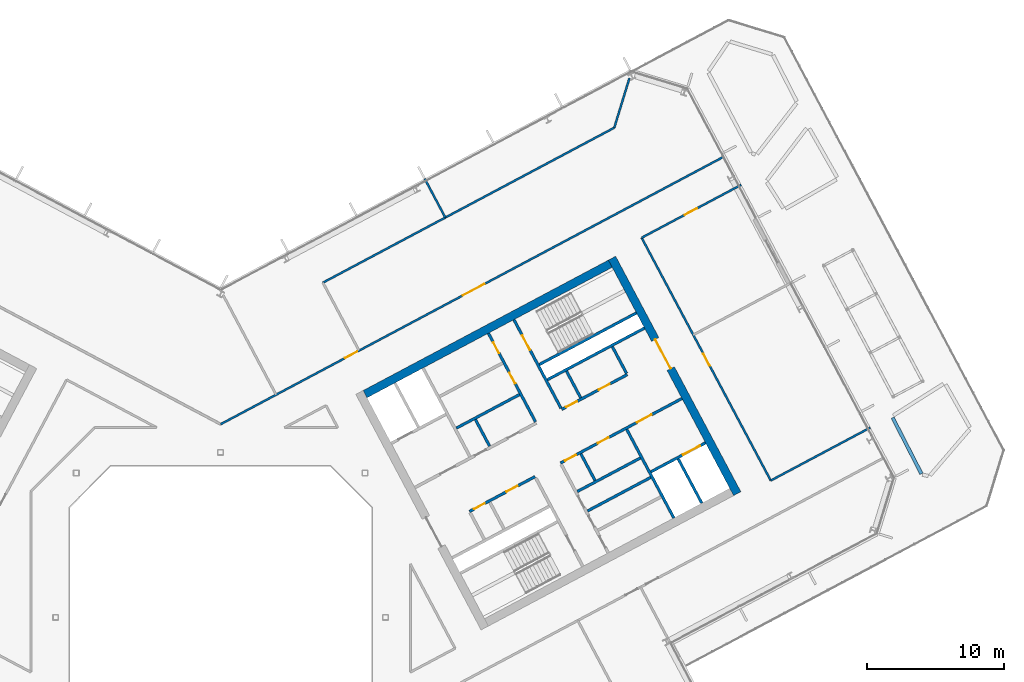
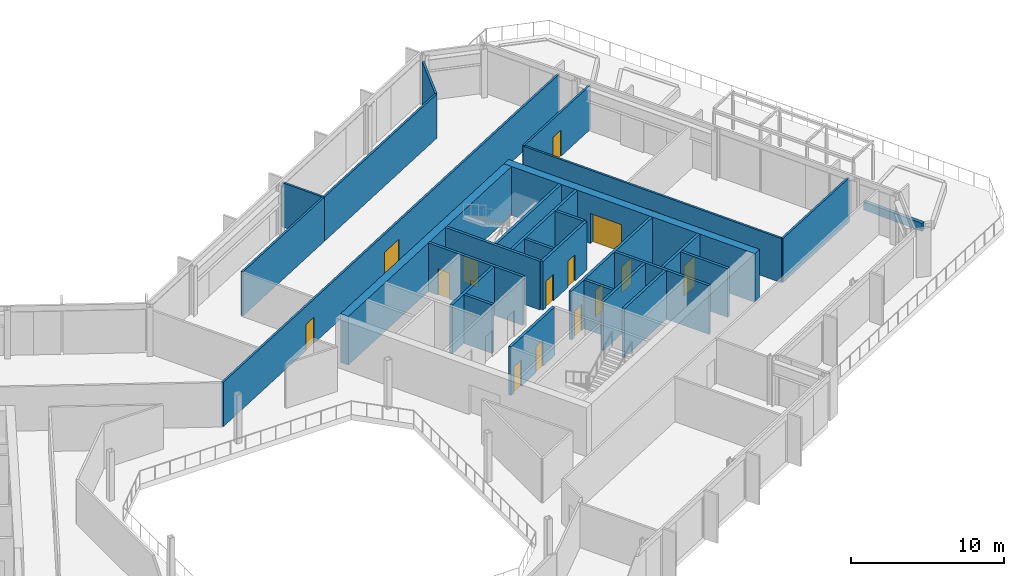
# One storey, part 19 of 31: 28 walls, 16 doors, 16 openings.
"""IFC4 building model written with IfcOpenShell, lengths in metres."""

from ifc_helpers import new_model, si_unit, direction, frame, frame_2d, origin, place, context, subcontext, project, spatial, rectangle, extrude, material, layer, layer_set, type_object, element, fill, save


model = new_model("IFC4")

# Units and contexts
model_context = context("Model", 3, precision=1e-05, world=origin(), true_north=direction((0.0, 1.0)))
body_context = subcontext(model_context, "Body", "Model", "MODEL_VIEW")
ifc_project = project(units=[si_unit("LENGTHUNIT", "METRE"), si_unit("AREAUNIT", "SQUARE_METRE"), si_unit("VOLUMEUNIT", "CUBIC_METRE"), si_unit("PLANEANGLEUNIT", "RADIAN"), si_unit("MASSUNIT", "GRAM", prefix="KILO")], contexts=[model_context])

# Site, building, storey
site_placement = place(None, origin())
site = spatial("IfcSite", under=ifc_project, at=site_placement, CompositionType="ELEMENT")
building_placement = place(site_placement, origin())
building = spatial("IfcBuilding", under=site, at=building_placement, Name="Cormorant Relay Tower", CompositionType="ELEMENT")
storey_placement = place(building_placement, frame((0.0, 0.0, 189.60009765625)))
storey = spatial("IfcBuildingStorey", under=building, at=storey_placement, Name="L40", CompositionType="ELEMENT", Elevation=189.60009765625)

# Walls
ifc_material_1 = material(Name="Concrete 40 MPa", Category="concrete")
ifc_layer_1 = layer(ifc_material_1, 0.199951171875)
ifc_layer_set_1 = layer_set([ifc_layer_1], Name="Core internal wall 200")
wall_type_1 = type_object("IfcWallType", Name="Core internal wall 200", PredefinedType="SOLIDWALL", material=ifc_layer_set_1)
for number, where, z_axis, x_axis, name in (
    (1, (19.568603515625, 12.443603515625, 0.0), (0.0, 0.0, 1.0), (-0.4694473164, 0.882960484464, 0.0), "L40 core B shaft and room wall"),
    (2, (27.236083984375, 9.951416015625, 0.0), (0.0, 0.0, 1.0), (-0.4694473164, 0.882960484464, 0.0), "L40 core B shaft and room wall"),
    (3, (26.19091796875, 15.964599609375, 0.0), (0.0, 0.0, 1.0), (-0.469533832133, 0.882914480843, 0.0), "L40 core B shaft and room wall"),
):
    element("IfcWall", number, at=place(storey_placement, frame(where, z_axis=z_axis, x_axis=x_axis)), inside=storey, type_object=wall_type_1, Name=name, PredefinedType="SOLIDWALL", context=body_context, shape_type="SweptSolid", body=[
        extrude(rectangle(XDim=2.199951171875, YDim=0.199951171875, at=frame_2d((1.10009765625, 0.0))), origin(), (0.0, 0.0, 1.0), 3.89990234375),
    ])
wall_1_placement = place(storey_placement, frame((26.692138671875, 7.73681640625, 0.0), z_axis=(0.0, 0.0, 1.0), x_axis=(0.882953967957, 0.469459572775, 0.0)))
element("IfcWall", 4, at=wall_1_placement, inside=storey, type_object=wall_type_1, Name="L40 core B shaft and room wall", PredefinedType="SOLIDWALL", context=body_context, shape_type="SweptSolid", body=[
    extrude(rectangle(XDim=5.199951171875, YDim=0.199951171875, at=frame_2d((2.60009765625, 0.0))), origin(), (0.0, 0.0, 1.0), 3.89990234375),
])

# Wall, openings, doors
ifc_material_2 = material(Name="Concrete 50 MPa", Category="concrete")
ifc_layer_2 = layer(ifc_material_2, 0.199951171875)
ifc_layer_set_2 = layer_set([ifc_layer_2], Name="Core shaft wall 200")
wall_type_2 = type_object("IfcWallType", Name="Core shaft wall 200", PredefinedType="SHEAR", material=ifc_layer_set_2)
wall_2_placement = place(storey_placement, frame((22.90625, 14.218017578125, 0.0), z_axis=(0.0, 0.0, 1.0), x_axis=(-0.469480409012, 0.88294288918, 0.0)))
wall_2 = element("IfcWall", 5, at=wall_2_placement, inside=storey, type_object=wall_type_2, Name="L40 core B shaft wall", PredefinedType="SHEAR", context=body_context, shape_type="SweptSolid", body=[
    extrude(rectangle(XDim=7.300048828125, YDim=0.199951171875, at=frame_2d((3.64990234375, 0.0))), origin(), (0.0, 0.0, 1.0), 3.89990234375),
])
opening_1_placement = place(wall_2_placement, frame((3.14990234375, 0.0, 0.0)))
opening_1 = element("IfcOpeningElement", 6, at=opening_1_placement, cuts=wall_2, Name="Opening CDD-249", PredefinedType="OPENING", context=body_context, shape_type="SweptSolid", body=[
    extrude(rectangle(XDim=0.89990234375, YDim=2.10009765625, at=frame_2d((0.449951171875, 1.050048828125))), frame((0.0, 0.10986328125, 0.0), z_axis=(0.0, -1.0, 0.0), x_axis=(1.0, 0.0, 0.0)), (0.0, 0.0, 1.0), 0.219970703125),
])
opening_2_placement = place(wall_2_placement, frame((5.64990234375, 0.0, 0.0)))
opening_2 = element("IfcOpeningElement", 7, at=opening_2_placement, cuts=wall_2, Name="Opening CDD-250", PredefinedType="OPENING", context=body_context, shape_type="SweptSolid", body=[
    extrude(rectangle(XDim=0.89990234375, YDim=2.10009765625, at=frame_2d((0.449951171875, 1.050048828125))), frame((0.0, 0.10986328125, 0.0), z_axis=(0.0, -1.0, 0.0), x_axis=(1.0, 0.0, 0.0)), (0.0, 0.0, 1.0), 0.219970703125),
])
ifc_material_3 = material(Name="Steel fire door", Category="steel")
door_type_1 = type_object("IfcDoorType", Name="Core room door 900x2100", OperationType="SINGLE_SWING_LEFT", PredefinedType="DOOR", material=ifc_material_3)
door_1_placement = place(opening_1_placement, frame((0.89990234375, 0.0, 0.0), z_axis=(0.0, 0.0, 1.0), x_axis=(-1.0, 0.0, 0.0)))
door_1 = element("IfcDoor", 8, at=door_1_placement, inside=storey, type_object=door_type_1, Name="Core room door 900x2100", OperationType="SINGLE_SWING_LEFT", OverallHeight=2.10009765625, OverallWidth=0.89990234375, PredefinedType="DOOR", context=body_context, shape_type="SweptSolid", body=[
    extrude(rectangle(XDim=0.89990234375, YDim=2.10009765625, at=frame_2d((0.449951171875, 1.050048828125))), frame((0.0, 0.02490234375, 0.0), z_axis=(0.0, -1.0, 0.0), x_axis=(1.0, 0.0, 0.0)), (0.0, 0.0, 1.0), 0.050048828125),
])
fill(opening_1, door_1)
door_2_placement = place(opening_2_placement, frame((0.89990234375, 0.0, 0.0), z_axis=(0.0, 0.0, 1.0), x_axis=(-1.0, 0.0, 0.0)))
door_2 = element("IfcDoor", 9, at=door_2_placement, inside=storey, type_object=door_type_1, Name="Core room door 900x2100", OperationType="SINGLE_SWING_LEFT", OverallHeight=2.10009765625, OverallWidth=0.89990234375, PredefinedType="DOOR", context=body_context, shape_type="SweptSolid", body=[
    extrude(rectangle(XDim=0.89990234375, YDim=2.10009765625, at=frame_2d((0.449951171875, 1.050048828125))), frame((0.0, 0.02490234375, 0.0), z_axis=(0.0, -1.0, 0.0), x_axis=(1.0, 0.0, 0.0)), (0.0, 0.0, 1.0), 0.050048828125),
])
fill(opening_2, door_2)

# Wall, opening, door
wall_3_placement = place(storey_placement, frame((24.760498046875, 15.2041015625, 0.0), z_axis=(0.0, 0.0, 1.0), x_axis=(-0.469494272526, 0.882935517501, 0.0)))
wall_3 = element("IfcWall", 10, at=wall_3_placement, inside=storey, type_object=wall_type_2, Name="L40 core B shaft wall", PredefinedType="SHEAR", context=body_context, shape_type="SweptSolid", body=[
    extrude(rectangle(XDim=7.2998046875, YDim=0.199951171875, at=frame_2d((3.64990234375, 0.0))), origin(), (0.0, 0.0, 1.0), 3.89990234375),
])
opening_3_placement = place(wall_3_placement, frame((4.800048828125, 0.0, 0.0)))
opening_3 = element("IfcOpeningElement", 11, at=opening_3_placement, cuts=wall_3, Name="Opening CDB-041", PredefinedType="OPENING", context=body_context, shape_type="SweptSolid", body=[
    extrude(rectangle(XDim=1.199951171875, YDim=2.10009765625, at=frame_2d((0.60009765625, 1.050048828125))), frame((0.0, 0.10986328125, 0.0), z_axis=(0.0, -1.0, 0.0), x_axis=(1.0, 0.0, 0.0)), (0.0, 0.0, 1.0), 0.219970703125),
])
ifc_material_4 = material(Name="Steel fire door", Category="steel")
door_type_2 = type_object("IfcDoorType", Name="Core stair door 1200x2100", OperationType="SINGLE_SWING_LEFT", PredefinedType="DOOR", material=ifc_material_4)
door_3_placement = place(opening_3_placement, frame((1.199951171875, 0.0, 0.0), z_axis=(0.0, 0.0, 1.0), x_axis=(-1.0, 0.0, 0.0)))
door_3 = element("IfcDoor", 12, at=door_3_placement, inside=storey, type_object=door_type_2, Name="Core stair door 1200x2100", OperationType="SINGLE_SWING_RIGHT", OverallHeight=2.10009765625, OverallWidth=1.199951171875, PredefinedType="DOOR", context=body_context, shape_type="SweptSolid", body=[
    extrude(rectangle(XDim=1.199951171875, YDim=2.10009765625, at=frame_2d((0.60009765625, 1.050048828125))), frame((0.0, 0.02490234375, 0.0), z_axis=(0.0, -1.0, 0.0), x_axis=(1.0, 0.0, 0.0)), (0.0, 0.0, 1.0), 0.050048828125),
])
fill(opening_3, door_3)

# Walls
wall_4_placement = place(storey_placement, frame((32.968017578125, 7.222900390625, 0.0), z_axis=(0.0, 0.0, 1.0), x_axis=(-0.469480409012, 0.88294288918, 0.0)))
element("IfcWall", 13, at=wall_4_placement, inside=storey, type_object=wall_type_2, Name="L40 core B shaft wall", PredefinedType="SHEAR", context=body_context, shape_type="SweptSolid", body=[
    extrude(rectangle(XDim=7.300048828125, YDim=0.199951171875, at=frame_2d((3.64990234375, 0.0))), origin(), (0.0, 0.0, 1.0), 3.89990234375),
])
wall_5_placement = place(storey_placement, frame((29.5283203125, 17.739013671875, 0.0), z_axis=(0.0, 0.0, 1.0), x_axis=(-0.469401318492, 0.882984938828, 0.0)))
element("IfcWall", 14, at=wall_5_placement, inside=storey, type_object=wall_type_2, Name="L40 core B shaft wall", PredefinedType="SHEAR", context=body_context, shape_type="SweptSolid", body=[
    extrude(rectangle(XDim=2.199951171875, YDim=0.199951171875, at=frame_2d((1.10009765625, 0.0))), origin(), (0.0, 0.0, 1.0), 3.89990234375),
])
wall_6_placement = place(storey_placement, frame((34.998779296875, 8.302734375, 0.0), z_axis=(0.0, 0.0, 1.0), x_axis=(-0.4694665462, 0.882950260207, 0.0)))
element("IfcWall", 15, at=wall_6_placement, inside=storey, type_object=wall_type_2, Name="L40 core B shaft wall", PredefinedType="SHEAR", context=body_context, shape_type="SweptSolid", body=[
    extrude(rectangle(XDim=3.650146484375, YDim=0.199951171875, at=frame_2d((1.8251953125, 0.0))), origin(), (0.0, 0.0, 1.0), 3.89990234375),
])

# Wall, opening, door
wall_7_placement = place(storey_placement, frame((31.295654296875, 10.5810546875, 0.0), z_axis=(0.0, 0.0, 1.0), x_axis=(0.882960433586, 0.469447412093, 0.0)))
wall_7 = element("IfcWall", 16, at=wall_7_placement, inside=storey, type_object=wall_type_2, Name="L40 core B shaft wall", PredefinedType="SHEAR", context=body_context, shape_type="SweptSolid", body=[
    extrude(rectangle(XDim=4.5, YDim=0.199951171875, at=frame_2d((2.25, 0.0))), origin(), (0.0, 0.0, 1.0), 3.89990234375),
])
opening_4_placement = place(wall_7_placement, frame((2.64990234375, 0.0, 0.0)))
opening_4 = element("IfcOpeningElement", 17, at=opening_4_placement, cuts=wall_7, Name="Opening LD3-016", PredefinedType="OPENING", context=body_context, shape_type="SweptSolid", body=[
    extrude(rectangle(XDim=1.39990234375, YDim=2.39990234375, at=frame_2d((0.699951171875, 1.199951171875))), frame((0.0, 0.10986328125, 0.0), z_axis=(0.0, -1.0, 0.0), x_axis=(1.0, 0.0, 0.0)), (0.0, 0.0, 1.0), 0.219970703125),
])
ifc_material_5 = material(Name="Stainless steel 316", Category="steel")
door_type_3 = type_object("IfcDoorType", Name="Lift landing door 1400x2400", OperationType="DOUBLE_DOOR_SLIDING", PredefinedType="DOOR", material=ifc_material_5)
door_4_placement = place(opening_4_placement, origin())
door_4 = element("IfcDoor", 18, at=door_4_placement, inside=storey, type_object=door_type_3, Name="SV2 landing door", OperationType="DOUBLE_DOOR_SLIDING", OverallHeight=2.39990234375, OverallWidth=1.39990234375, PredefinedType="DOOR", context=body_context, shape_type="SweptSolid", body=[
    extrude(rectangle(XDim=1.39990234375, YDim=2.39990234375, at=frame_2d((0.699951171875, 1.199951171875))), frame((0.0, 0.02490234375, 0.0), z_axis=(0.0, -1.0, 0.0), x_axis=(1.0, 0.0, 0.0)), (0.0, 0.0, 1.0), 0.050048828125),
])
fill(opening_4, door_4)

# Wall
wall_8_placement = place(storey_placement, frame((25.94091796875, 9.149658203125, 0.0), z_axis=(0.0, 0.0, 1.0), x_axis=(0.882953967957, 0.469459572775, 0.0)))
element("IfcWall", 19, at=wall_8_placement, inside=storey, type_object=wall_type_2, Name="L40 core B shaft wall", PredefinedType="SHEAR", context=body_context, shape_type="SweptSolid", body=[
    extrude(rectangle(XDim=5.199951171875, YDim=0.199951171875, at=frame_2d((2.60009765625, 0.0))), origin(), (0.0, 0.0, 1.0), 3.89990234375),
])

# Wall, openings, doors
wall_9_placement = place(storey_placement, frame((18.103759765625, 7.70068359375, 0.0), z_axis=(0.0, 0.0, 1.0), x_axis=(0.882952937579, 0.469461510692, 0.0)))
wall_9 = element("IfcWall", 20, at=wall_9_placement, inside=storey, type_object=wall_type_2, Name="L40 core B shaft wall", PredefinedType="SHEAR", context=body_context, shape_type="SweptSolid", body=[
    extrude(rectangle(XDim=5.400146484375, YDim=0.199951171875, at=frame_2d((2.7001953125, 0.0))), origin(), (0.0, 0.0, 1.0), 3.89990234375),
])
opening_5_placement = place(wall_9_placement, frame((0.360107421875, 0.0, 0.0)))
opening_5 = element("IfcOpeningElement", 21, at=opening_5_placement, cuts=wall_9, Name="Opening CDD-245", PredefinedType="OPENING", context=body_context, shape_type="SweptSolid", body=[
    extrude(rectangle(XDim=0.89990234375, YDim=2.10009765625, at=frame_2d((0.449951171875, 1.050048828125))), frame((0.0, 0.10986328125, 0.0), z_axis=(0.0, -1.0, 0.0), x_axis=(1.0, 0.0, 0.0)), (0.0, 0.0, 1.0), 0.219970703125),
])
opening_6_placement = place(wall_9_placement, frame((3.06005859375, 0.0, 0.0)))
opening_6 = element("IfcOpeningElement", 22, at=opening_6_placement, cuts=wall_9, Name="Opening CDD-246", PredefinedType="OPENING", context=body_context, shape_type="SweptSolid", body=[
    extrude(rectangle(XDim=0.89990234375, YDim=2.10009765625, at=frame_2d((0.449951171875, 1.050048828125))), frame((0.0, 0.10986328125, 0.0), z_axis=(0.0, -1.0, 0.0), x_axis=(1.0, 0.0, 0.0)), (0.0, 0.0, 1.0), 0.219970703125),
])
door_5_placement = place(opening_5_placement, frame((0.89990234375, 0.0, 0.0), z_axis=(0.0, 0.0, 1.0), x_axis=(-1.0, 0.0, 0.0)))
door_5 = element("IfcDoor", 23, at=door_5_placement, inside=storey, type_object=door_type_1, Name="Core room door 900x2100", OperationType="SINGLE_SWING_RIGHT", OverallHeight=2.10009765625, OverallWidth=0.89990234375, PredefinedType="DOOR", context=body_context, shape_type="SweptSolid", body=[
    extrude(rectangle(XDim=0.89990234375, YDim=2.10009765625, at=frame_2d((0.449951171875, 1.050048828125))), frame((0.0, 0.02490234375, 0.0), z_axis=(0.0, -1.0, 0.0), x_axis=(1.0, 0.0, 0.0)), (0.0, 0.0, 1.0), 0.050048828125),
])
fill(opening_5, door_5)
door_6_placement = place(opening_6_placement, frame((0.89990234375, 0.0, 0.0), z_axis=(0.0, 0.0, 1.0), x_axis=(-1.0, 0.0, 0.0)))
door_6 = element("IfcDoor", 24, at=door_6_placement, inside=storey, type_object=door_type_1, Name="Core room door 900x2100", OperationType="SINGLE_SWING_RIGHT", OverallHeight=2.10009765625, OverallWidth=0.89990234375, PredefinedType="DOOR", context=body_context, shape_type="SweptSolid", body=[
    extrude(rectangle(XDim=0.89990234375, YDim=2.10009765625, at=frame_2d((0.449951171875, 1.050048828125))), frame((0.0, 0.02490234375, 0.0), z_axis=(0.0, -1.0, 0.0), x_axis=(1.0, 0.0, 0.0)), (0.0, 0.0, 1.0), 0.050048828125),
])
fill(opening_6, door_6)

wall_10_placement = place(storey_placement, frame((24.72607421875, 11.2216796875, 0.0), z_axis=(0.0, 0.0, 1.0), x_axis=(0.882940221191, 0.469485426614, 0.0)))
wall_10 = element("IfcWall", 25, at=wall_10_placement, inside=storey, type_object=wall_type_2, Name="L40 core B shaft wall", PredefinedType="SHEAR", context=body_context, shape_type="SweptSolid", body=[
    extrude(rectangle(XDim=10.0, YDim=0.199951171875, at=frame_2d((5.0, 0.0))), origin(), (0.0, 0.0, 1.0), 3.89990234375),
])
opening_7_placement = place(wall_10_placement, frame((6.300048828125, 0.0, 0.0)))
opening_7 = element("IfcOpeningElement", 26, at=opening_7_placement, cuts=wall_10, Name="Opening CDC-036", PredefinedType="OPENING", context=body_context, shape_type="SweptSolid", body=[
    extrude(rectangle(XDim=1.199951171875, YDim=2.10009765625, at=frame_2d((0.60009765625, 1.050048828125))), frame((0.0, 0.10986328125, 0.0), z_axis=(0.0, -1.0, 0.0), x_axis=(1.0, 0.0, 0.0)), (0.0, 0.0, 1.0), 0.219970703125),
])
opening_8_placement = place(wall_10_placement, frame((0.360107421875, 0.0, 0.0)))
opening_8 = element("IfcOpeningElement", 27, at=opening_8_placement, cuts=wall_10, Name="Opening CDD-247", PredefinedType="OPENING", context=body_context, shape_type="SweptSolid", body=[
    extrude(rectangle(XDim=0.89990234375, YDim=2.10009765625, at=frame_2d((0.449951171875, 1.050048828125))), frame((0.0, 0.10986328125, 0.0), z_axis=(0.0, -1.0, 0.0), x_axis=(1.0, 0.0, 0.0)), (0.0, 0.0, 1.0), 0.219970703125),
])
opening_9_placement = place(wall_10_placement, frame((3.06005859375, 0.0, 0.0)))
opening_9 = element("IfcOpeningElement", 28, at=opening_9_placement, cuts=wall_10, Name="Opening CDD-248", PredefinedType="OPENING", context=body_context, shape_type="SweptSolid", body=[
    extrude(rectangle(XDim=0.89990234375, YDim=2.10009765625, at=frame_2d((0.449951171875, 1.050048828125))), frame((0.0, 0.10986328125, 0.0), z_axis=(0.0, -1.0, 0.0), x_axis=(1.0, 0.0, 0.0)), (0.0, 0.0, 1.0), 0.219970703125),
])
ifc_material_6 = material(Name="Steel fire door", Category="steel")
door_type_4 = type_object("IfcDoorType", Name="Core lobby door 1200x2100", OperationType="SINGLE_SWING_LEFT", PredefinedType="DOOR", material=ifc_material_6)
door_7_placement = place(opening_7_placement, frame((1.199951171875, 0.0, 0.0), z_axis=(0.0, 0.0, 1.0), x_axis=(-1.0, 0.0, 0.0)))
door_7 = element("IfcDoor", 29, at=door_7_placement, inside=storey, type_object=door_type_4, Name="Core lobby door 1200x2100", OperationType="SINGLE_SWING_RIGHT", OverallHeight=2.10009765625, OverallWidth=1.199951171875, PredefinedType="DOOR", context=body_context, shape_type="SweptSolid", body=[
    extrude(rectangle(XDim=1.199951171875, YDim=2.10009765625, at=frame_2d((0.60009765625, 1.050048828125))), frame((0.0, 0.02490234375, 0.0), z_axis=(0.0, -1.0, 0.0), x_axis=(1.0, 0.0, 0.0)), (0.0, 0.0, 1.0), 0.050048828125),
])
fill(opening_7, door_7)
door_8_placement = place(opening_8_placement, frame((0.89990234375, 0.0, 0.0), z_axis=(0.0, 0.0, 1.0), x_axis=(-1.0, 0.0, 0.0)))
door_8 = element("IfcDoor", 30, at=door_8_placement, inside=storey, type_object=door_type_1, Name="Core room door 900x2100", OperationType="SINGLE_SWING_RIGHT", OverallHeight=2.10009765625, OverallWidth=0.89990234375, PredefinedType="DOOR", context=body_context, shape_type="SweptSolid", body=[
    extrude(rectangle(XDim=0.89990234375, YDim=2.10009765625, at=frame_2d((0.449951171875, 1.050048828125))), frame((0.0, 0.02490234375, 0.0), z_axis=(0.0, -1.0, 0.0), x_axis=(1.0, 0.0, 0.0)), (0.0, 0.0, 1.0), 0.050048828125),
])
fill(opening_8, door_8)
door_9_placement = place(opening_9_placement, frame((0.89990234375, 0.0, 0.0), z_axis=(0.0, 0.0, 1.0), x_axis=(-1.0, 0.0, 0.0)))
door_9 = element("IfcDoor", 31, at=door_9_placement, inside=storey, type_object=door_type_1, Name="Core room door 900x2100", OperationType="SINGLE_SWING_RIGHT", OverallHeight=2.10009765625, OverallWidth=0.89990234375, PredefinedType="DOOR", context=body_context, shape_type="SweptSolid", body=[
    extrude(rectangle(XDim=0.89990234375, YDim=2.10009765625, at=frame_2d((0.449951171875, 1.050048828125))), frame((0.0, 0.02490234375, 0.0), z_axis=(0.0, -1.0, 0.0), x_axis=(1.0, 0.0, 0.0)), (0.0, 0.0, 1.0), 0.050048828125),
])
fill(opening_9, door_9)

wall_11_placement = place(storey_placement, frame((24.807373046875, 15.11572265625, 0.0), z_axis=(0.0, 0.0, 1.0), x_axis=(0.882942972946, 0.469480251476, 0.0)))
wall_11 = element("IfcWall", 32, at=wall_11_placement, inside=storey, type_object=wall_type_2, Name="L40 core B shaft wall", PredefinedType="SHEAR", context=body_context, shape_type="SweptSolid", body=[
    extrude(rectangle(XDim=5.39990234375, YDim=0.199951171875, at=frame_2d((2.699951171875, 0.0))), origin(), (0.0, 0.0, 1.0), 3.89990234375),
])
opening_10_placement = place(wall_11_placement, frame((0.360107421875, 0.0, 0.0)))
opening_10 = element("IfcOpeningElement", 33, at=opening_10_placement, cuts=wall_11, Name="Opening CDD-243", PredefinedType="OPENING", context=body_context, shape_type="SweptSolid", body=[
    extrude(rectangle(XDim=0.89990234375, YDim=2.10009765625, at=frame_2d((0.449951171875, 1.050048828125))), frame((0.0, 0.10986328125, 0.0), z_axis=(0.0, -1.0, 0.0), x_axis=(1.0, 0.0, 0.0)), (0.0, 0.0, 1.0), 0.219970703125),
])
opening_11_placement = place(wall_11_placement, frame((3.06005859375, 0.0, 0.0)))
opening_11 = element("IfcOpeningElement", 34, at=opening_11_placement, cuts=wall_11, Name="Opening CDD-244", PredefinedType="OPENING", context=body_context, shape_type="SweptSolid", body=[
    extrude(rectangle(XDim=0.89990234375, YDim=2.10009765625, at=frame_2d((0.449951171875, 1.050048828125))), frame((0.0, 0.10986328125, 0.0), z_axis=(0.0, -1.0, 0.0), x_axis=(1.0, 0.0, 0.0)), (0.0, 0.0, 1.0), 0.219970703125),
])
door_10_placement = place(opening_10_placement, origin())
door_10 = element("IfcDoor", 35, at=door_10_placement, inside=storey, type_object=door_type_1, Name="Core room door 900x2100", OperationType="SINGLE_SWING_LEFT", OverallHeight=2.10009765625, OverallWidth=0.89990234375, PredefinedType="DOOR", context=body_context, shape_type="SweptSolid", body=[
    extrude(rectangle(XDim=0.89990234375, YDim=2.10009765625, at=frame_2d((0.449951171875, 1.050048828125))), frame((0.0, 0.02490234375, 0.0), z_axis=(0.0, -1.0, 0.0), x_axis=(1.0, 0.0, 0.0)), (0.0, 0.0, 1.0), 0.050048828125),
])
fill(opening_10, door_10)
door_11_placement = place(opening_11_placement, frame((0.89990234375, 0.0, 0.0), z_axis=(0.0, 0.0, 1.0), x_axis=(-1.0, 0.0, 0.0)))
door_11 = element("IfcDoor", 36, at=door_11_placement, inside=storey, type_object=door_type_1, Name="Core room door 900x2100", OperationType="SINGLE_SWING_RIGHT", OverallHeight=2.10009765625, OverallWidth=0.89990234375, PredefinedType="DOOR", context=body_context, shape_type="SweptSolid", body=[
    extrude(rectangle(XDim=0.89990234375, YDim=2.10009765625, at=frame_2d((0.449951171875, 1.050048828125))), frame((0.0, 0.02490234375, 0.0), z_axis=(0.0, -1.0, 0.0), x_axis=(1.0, 0.0, 0.0)), (0.0, 0.0, 1.0), 0.050048828125),
])
fill(opening_11, door_11)

# Walls
wall_12_placement = place(storey_placement, frame((17.146728515625, 13.7607421875, 0.0), z_axis=(0.0, 0.0, 1.0), x_axis=(0.882964314875, 0.469440111896, 0.0)))
element("IfcWall", 37, at=wall_12_placement, inside=storey, type_object=wall_type_2, Name="L40 core B shaft wall", PredefinedType="SHEAR", context=body_context, shape_type="SweptSolid", body=[
    extrude(rectangle(XDim=5.2001953125, YDim=0.199951171875, at=frame_2d((2.60009765625, 0.0))), origin(), (0.0, 0.0, 1.0), 3.89990234375),
])
wall_13_placement = place(storey_placement, frame((23.76904296875, 17.28173828125, 0.0), z_axis=(0.0, 0.0, 1.0), x_axis=(0.882940221191, 0.469485426614, 0.0)))
element("IfcWall", 38, at=wall_13_placement, inside=storey, type_object=wall_type_2, Name="L40 core B shaft wall", PredefinedType="SHEAR", context=body_context, shape_type="SweptSolid", body=[
    extrude(rectangle(XDim=8.0, YDim=0.199951171875, at=frame_2d((4.0, 0.0))), origin(), (0.0, 0.0, 1.0), 3.89990234375),
])
wall_14_placement = place(storey_placement, frame((23.18212890625, 18.385498046875, 0.0), z_axis=(0.0, 0.0, 1.0), x_axis=(0.88295287151, 0.469461634952, 0.0)))
element("IfcWall", 39, at=wall_14_placement, inside=storey, type_object=wall_type_2, Name="L40 core B shaft wall", PredefinedType="SHEAR", context=body_context, shape_type="SweptSolid", body=[
    extrude(rectangle(XDim=7.999755859375, YDim=0.199951171875, at=frame_2d((4.0, 0.0))), origin(), (0.0, 0.0, 1.0), 3.89990234375),
])

# Wall, opening, door
ifc_material_7 = material(Name="Concrete 50 MPa", Category="concrete")
ifc_layer_3 = layer(ifc_material_7, 0.60009765625)
ifc_layer_set_3 = layer_set([ifc_layer_3], Name="Core wall 600")
wall_type_3 = type_object("IfcWallType", Name="Core wall 600", PredefinedType="SHEAR", material=ifc_layer_set_3)
wall_15_placement = place(storey_placement, frame((37.576171875, 8.99365234375, 0.0), z_axis=(0.0, 0.0, 1.0), x_axis=(-0.469478769487, 0.88294376095, 0.0)))
wall_15 = element("IfcWall", 40, at=wall_15_placement, inside=storey, type_object=wall_type_3, Name="L40 core B wall", PredefinedType="SHEAR", context=body_context, shape_type="SweptSolid", body=[
    extrude(rectangle(XDim=19.400146484375, YDim=0.60009765625, at=frame_2d((9.7001953125, 0.0))), origin(), (0.0, 0.0, 1.0), 3.89990234375),
])
opening_12_placement = place(wall_15_placement, frame((10.300048828125, 0.0, 0.0)))
opening_12 = element("IfcOpeningElement", 41, at=opening_12_placement, cuts=wall_15, Name="Opening CDA-043", PredefinedType="OPENING", context=body_context, shape_type="SweptSolid", body=[
    extrude(rectangle(XDim=2.39990234375, YDim=2.39990234375, at=frame_2d((1.199951171875, 1.199951171875))), frame((0.0, 0.31005859375, 0.0), z_axis=(0.0, -1.0, 0.0), x_axis=(1.0, 0.0, 0.0)), (0.0, 0.0, 1.0), 0.6201171875),
])
ifc_material_8 = material(Name="Steel fire door", Category="steel")
door_type_5 = type_object("IfcDoorType", Name="Core lobby door 2400x2400", OperationType="DOUBLE_DOOR_SINGLE_SWING", PredefinedType="DOOR", material=ifc_material_8)
door_12_placement = place(opening_12_placement, origin())
door_12 = element("IfcDoor", 42, at=door_12_placement, inside=storey, type_object=door_type_5, Name="Core lobby door 2400x2400", OperationType="DOUBLE_DOOR_SINGLE_SWING", OverallHeight=2.39990234375, OverallWidth=2.39990234375, PredefinedType="DOOR", context=body_context, shape_type="SweptSolid", body=[
    extrude(rectangle(XDim=2.39990234375, YDim=2.39990234375, at=frame_2d((1.199951171875, 1.199951171875))), frame((0.0, 0.02490234375, 0.0), z_axis=(0.0, -1.0, 0.0), x_axis=(1.0, 0.0, 0.0)), (0.0, 0.0, 1.0), 0.050048828125),
])
fill(opening_12, door_12)

# Wall
wall_16_placement = place(storey_placement, frame((10.5087890625, 16.23388671875, 0.0), z_axis=(0.0, 0.0, 1.0), x_axis=(0.88295010195, 0.469466843842, 0.0)))
element("IfcWall", 43, at=wall_16_placement, inside=storey, type_object=wall_type_3, Name="L40 core B wall", PredefinedType="SHEAR", context=body_context, shape_type="SweptSolid", body=[
    extrude(rectangle(XDim=20.199951171875, YDim=0.60009765625, at=frame_2d((10.10009765625, 0.0))), origin(), (0.0, 0.0, 1.0), 3.89990234375),
])

# Wall, openings, doors
ifc_material_9 = material(Name="Gypsum board fire partition")
ifc_layer_4 = layer(ifc_material_9, 0.14990234375)
ifc_layer_set_4 = layer_set([ifc_layer_4], Name="Corridor partition 150 EI 60")
wall_type_4 = type_object("IfcWallType", Name="Corridor partition 150 EI 60", PredefinedType="PARTITIONING", material=ifc_layer_set_4)
wall_17_placement = place(storey_placement, frame((0.0, 14.0439453125, 0.0), z_axis=(0.0, 0.0, 1.0), x_axis=(0.882962129795, 0.469444221764, 0.0)))
wall_17 = element("IfcWall", 44, at=wall_17_placement, inside=storey, type_object=wall_type_4, Name="wall/L40/part/012", PredefinedType="PARTITIONING", context=body_context, shape_type="SweptSolid", body=[
    extrude(rectangle(XDim=41.606689453125, YDim=0.14990234375, at=frame_2d((20.80322265625, 0.0))), origin(), (0.0, 0.0, 1.0), 3.539794921875),
])
opening_13_placement = place(wall_17_placement, frame((19.949951171875, 0.0, 0.0)))
opening_13 = element("IfcOpeningElement", 45, at=opening_13_placement, cuts=wall_17, Name="Opening DD-023", PredefinedType="OPENING", context=body_context, shape_type="SweptSolid", body=[
    extrude(rectangle(XDim=1.800048828125, YDim=2.10009765625, at=frame_2d((0.89990234375, 1.050048828125))), frame((0.0, 0.0849609375, 0.0), z_axis=(0.0, -1.0, 0.0), x_axis=(1.0, 0.0, 0.0)), (0.0, 0.0, 1.0), 0.169921875),
])
opening_14_placement = place(wall_17_placement, frame((10.25, 0.0, 0.0)))
opening_14 = element("IfcOpeningElement", 46, at=opening_14_placement, cuts=wall_17, Name="Opening DS-118", PredefinedType="OPENING", context=body_context, shape_type="SweptSolid", body=[
    extrude(rectangle(XDim=1.0, YDim=2.10009765625, at=frame_2d((0.5, 1.050048828125))), frame((0.0, 0.0849609375, 0.0), z_axis=(0.0, -1.0, 0.0), x_axis=(1.0, 0.0, 0.0)), (0.0, 0.0, 1.0), 0.169921875),
])
ifc_material_10 = material(Name="Timber door leaf", Category="wood")
door_type_6 = type_object("IfcDoorType", Name="Suite door 1000x2100", OperationType="SINGLE_SWING_LEFT", PredefinedType="DOOR", material=ifc_material_10)
door_13_placement = place(opening_14_placement, origin())
door_13 = element("IfcDoor", 47, at=door_13_placement, inside=storey, type_object=door_type_6, Name="door/L40/014", OperationType="SINGLE_SWING_RIGHT", OverallHeight=2.10009765625, OverallWidth=1.0, PredefinedType="DOOR", context=body_context, shape_type="SweptSolid", body=[
    extrude(rectangle(XDim=1.0, YDim=2.10009765625, at=frame_2d((0.5, 1.050048828125))), frame((0.0, 0.02490234375, 0.0), z_axis=(0.0, -1.0, 0.0), x_axis=(1.0, 0.0, 0.0)), (0.0, 0.0, 1.0), 0.050048828125),
])
fill(opening_14, door_13)
ifc_material_11 = material(Name="Timber door leaf", Category="wood")
door_type_7 = type_object("IfcDoorType", Name="Suite double door 1800x2100", OperationType="DOUBLE_DOOR_SINGLE_SWING", PredefinedType="DOOR", material=ifc_material_11)
door_14_placement = place(opening_13_placement, origin())
door_14 = element("IfcDoor", 48, at=door_14_placement, inside=storey, type_object=door_type_7, Name="door/L40/013", OperationType="DOUBLE_DOOR_SINGLE_SWING", OverallHeight=2.10009765625, OverallWidth=1.800048828125, PredefinedType="DOOR", context=body_context, shape_type="SweptSolid", body=[
    extrude(rectangle(XDim=1.800048828125, YDim=2.10009765625, at=frame_2d((0.89990234375, 1.050048828125))), frame((0.0, 0.02490234375, 0.0), z_axis=(0.0, -1.0, 0.0), x_axis=(1.0, 0.0, 0.0)), (0.0, 0.0, 1.0), 0.050048828125),
])
fill(opening_13, door_14)

# Wall, opening, door
wall_18_placement = place(storey_placement, frame((37.864013671875, 31.4580078125, 0.0), z_axis=(0.0, 0.0, 1.0), x_axis=(-0.882947223068, -0.469472258261, 0.0)))
wall_18 = element("IfcWall", 49, at=wall_18_placement, inside=storey, type_object=wall_type_4, Name="wall/L40/part/040", PredefinedType="PARTITIONING", context=body_context, shape_type="SweptSolid", body=[
    extrude(rectangle(XDim=8.200927734375, YDim=0.14990234375, at=frame_2d((4.1005859375, 0.0))), origin(), (0.0, 0.0, 1.0), 3.539794921875),
])
opening_15_placement = place(wall_18_placement, frame((3.64990234375, 0.0, 0.0)))
opening_15 = element("IfcOpeningElement", 50, at=opening_15_placement, cuts=wall_18, Name="Opening DS-122", PredefinedType="OPENING", context=body_context, shape_type="SweptSolid", body=[
    extrude(rectangle(XDim=1.0, YDim=2.10009765625, at=frame_2d((0.5, 1.050048828125))), frame((0.0, 0.0849609375, 0.0), z_axis=(0.0, -1.0, 0.0), x_axis=(1.0, 0.0, 0.0)), (0.0, 0.0, 1.0), 0.169921875),
])
door_15_placement = place(opening_15_placement, origin())
door_15 = element("IfcDoor", 51, at=door_15_placement, inside=storey, type_object=door_type_6, Name="door/L40/019", OperationType="SINGLE_SWING_RIGHT", OverallHeight=2.10009765625, OverallWidth=1.0, PredefinedType="DOOR", context=body_context, shape_type="SweptSolid", body=[
    extrude(rectangle(XDim=1.0, YDim=2.10009765625, at=frame_2d((0.5, 1.050048828125))), frame((0.0, 0.02490234375, 0.0), z_axis=(0.0, -1.0, 0.0), x_axis=(1.0, 0.0, 0.0)), (0.0, 0.0, 1.0), 0.050048828125),
])
fill(opening_15, door_15)

wall_19_placement = place(storey_placement, frame((30.623046875, 27.60791015625, 0.0), z_axis=(0.0, 0.0, 1.0), x_axis=(0.469489882812, -0.882937851685, 0.0)))
wall_19 = element("IfcWall", 52, at=wall_19_placement, inside=storey, type_object=wall_type_4, Name="wall/L40/part/041", PredefinedType="PARTITIONING", context=body_context, shape_type="SweptSolid", body=[
    extrude(rectangle(XDim=20.000244140625, YDim=0.14990234375, at=frame_2d((10.0, 0.0))), origin(), (0.0, 0.0, 1.0), 3.539794921875),
])
opening_16_placement = place(wall_19_placement, frame((9.550048828125, 0.0, 0.0)))
opening_16 = element("IfcOpeningElement", 53, at=opening_16_placement, cuts=wall_19, Name="Opening DS-121", PredefinedType="OPENING", context=body_context, shape_type="SweptSolid", body=[
    extrude(rectangle(XDim=1.0, YDim=2.10009765625, at=frame_2d((0.5, 1.050048828125))), frame((0.0, 0.0849609375, 0.0), z_axis=(0.0, -1.0, 0.0), x_axis=(1.0, 0.0, 0.0)), (0.0, 0.0, 1.0), 0.169921875),
])
door_16_placement = place(opening_16_placement, origin())
door_16 = element("IfcDoor", 54, at=door_16_placement, inside=storey, type_object=door_type_6, Name="door/L40/018", OperationType="SINGLE_SWING_LEFT", OverallHeight=2.10009765625, OverallWidth=1.0, PredefinedType="DOOR", context=body_context, shape_type="SweptSolid", body=[
    extrude(rectangle(XDim=1.0, YDim=2.10009765625, at=frame_2d((0.5, 1.050048828125))), frame((0.0, 0.02490234375, 0.0), z_axis=(0.0, -1.0, 0.0), x_axis=(1.0, 0.0, 0.0)), (0.0, 0.0, 1.0), 0.050048828125),
])
fill(opening_16, door_16)

# Walls
wall_20_placement = place(storey_placement, frame((40.012939453125, 9.948974609375, 0.0), z_axis=(0.0, 0.0, 1.0), x_axis=(0.882920973231, 0.4695216236, 0.0)))
element("IfcWall", 55, at=wall_20_placement, inside=storey, type_object=wall_type_4, Name="wall/L40/part/042", PredefinedType="PARTITIONING", context=body_context, shape_type="SweptSolid", body=[
    extrude(rectangle(XDim=8.199951171875, YDim=0.14990234375, at=frame_2d((4.10009765625, 0.0))), origin(), (0.0, 0.0, 1.0), 3.539794921875),
])
ifc_material_12 = material(Name="Concrete 40 MPa", Category="concrete")
ifc_layer_5 = layer(ifc_material_12, 0.25)
ifc_layer_set_5 = layer_set([ifc_layer_5], Name="Planter kerb 250")
wall_type_5 = type_object("IfcWallType", Name="Planter kerb 250", PredefinedType="STANDARD", material=ifc_layer_set_5)
wall_21_placement = place(storey_placement, frame((50.972412109375, 10.443115234375, 0.0), z_axis=(0.0, 0.0, 1.0), x_axis=(-0.456572064687, 0.889686433384, 0.0)))
element("IfcWall", 56, at=wall_21_placement, inside=storey, type_object=wall_type_5, Name="Terrace PLANTER 40-01 kerb", PredefinedType="STANDARD", context=body_context, shape_type="SweptSolid", body=[
    extrude(rectangle(XDim=4.579345703125, YDim=0.25, at=frame_2d((2.28955078125, 0.0))), origin(), (0.0, 0.0, 1.0), 0.64990234375),
])
ifc_material_13 = material(Name="Gypsum board partition")
ifc_layer_6 = layer(ifc_material_13, 0.14990234375)
ifc_layer_set_6 = layer_set([ifc_layer_6], Name="Tenant partition 150")
wall_type_6 = type_object("IfcWallType", Name="Tenant partition 150", PredefinedType="PARTITIONING", material=ifc_layer_set_6)
wall_22_placement = place(storey_placement, frame((7.443115234375, 24.343017578125, 0.0), z_axis=(0.0, 0.0, 1.0), x_axis=(0.882919378886, 0.469524621705, 0.0)))
element("IfcWall", 57, at=wall_22_placement, inside=storey, type_object=wall_type_6, Name="wall/L40/part/030", PredefinedType="PARTITIONING", context=body_context, shape_type="SweptSolid", body=[
    extrude(rectangle(XDim=10.082275390625, YDim=0.14990234375, at=frame_2d((5.041015625, 0.0))), origin(), (0.0, 0.0, 1.0), 3.539794921875),
])
wall_23_placement = place(storey_placement, frame((14.843994140625, 31.903076171875, 0.0), z_axis=(0.0, 0.0, 1.0), x_axis=(0.469051096607, -0.883171030306, 0.0)))
element("IfcWall", 58, at=wall_23_placement, inside=storey, type_object=wall_type_6, Name="wall/L40/part/036", PredefinedType="PARTITIONING", context=body_context, shape_type="SweptSolid", body=[
    extrude(rectangle(XDim=3.199951171875, YDim=0.14990234375, at=frame_2d((1.60009765625, 0.0))), origin(), (0.0, 0.0, 1.0), 3.539794921875),
])
wall_24_placement = place(storey_placement, frame((16.344970703125, 29.076904296875, 0.0), z_axis=(0.0, 0.0, 1.0), x_axis=(0.882962129602, 0.469444222128, 0.0)))
element("IfcWall", 59, at=wall_24_placement, inside=storey, type_object=wall_type_6, Name="wall/L40/part/037", PredefinedType="PARTITIONING", context=body_context, shape_type="SweptSolid", body=[
    extrude(rectangle(XDim=13.9169921875, YDim=0.14990234375, at=frame_2d((6.95849609375, 0.0))), origin(), (0.0, 0.0, 1.0), 3.539794921875),
])
wall_25_placement = place(storey_placement, frame((28.633056640625, 35.610107421875, 0.0), z_axis=(0.0, 0.0, 1.0), x_axis=(0.292294142097, 0.956328465798, 0.0)))
element("IfcWall", 60, at=wall_25_placement, inside=storey, type_object=wall_type_6, Name="wall/L40/part/038", PredefinedType="PARTITIONING", context=body_context, shape_type="SweptSolid", body=[
    extrude(rectangle(XDim=3.773681640625, YDim=0.14990234375, at=frame_2d((1.88671875, 0.0))), origin(), (0.0, 0.0, 1.0), 3.539794921875),
])

save(model, "model.ifc")
